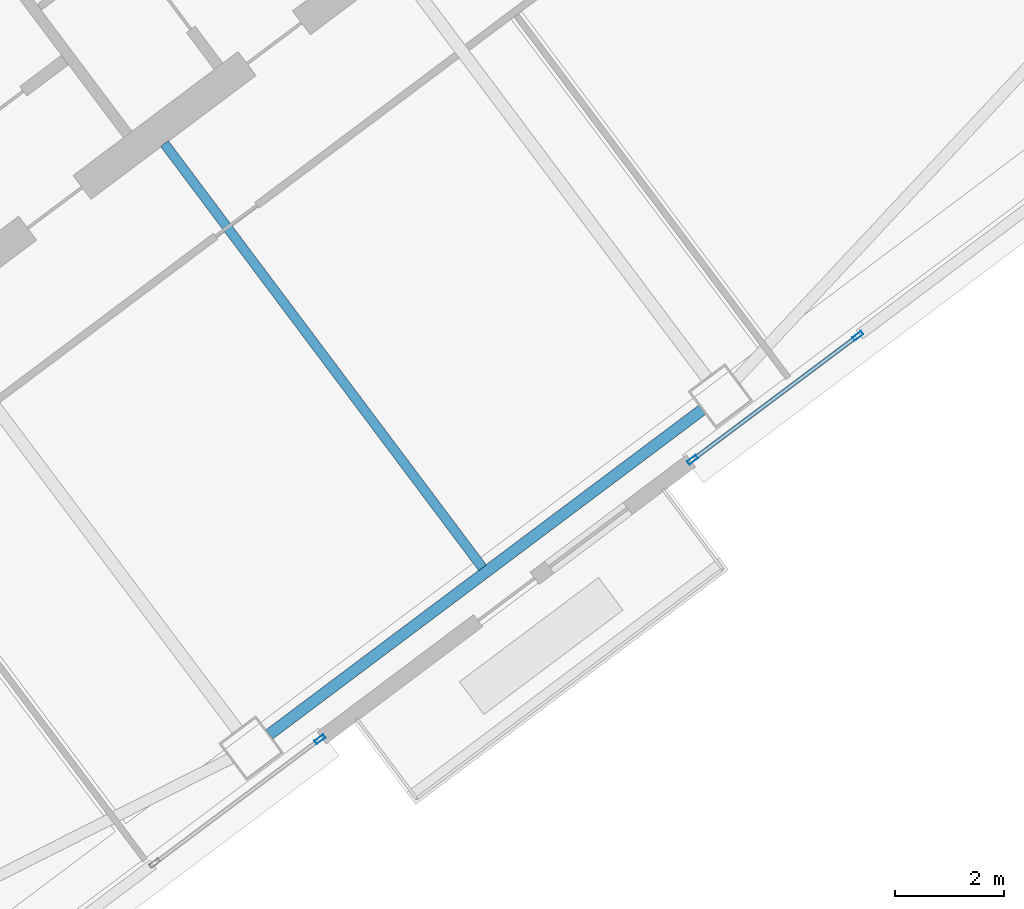
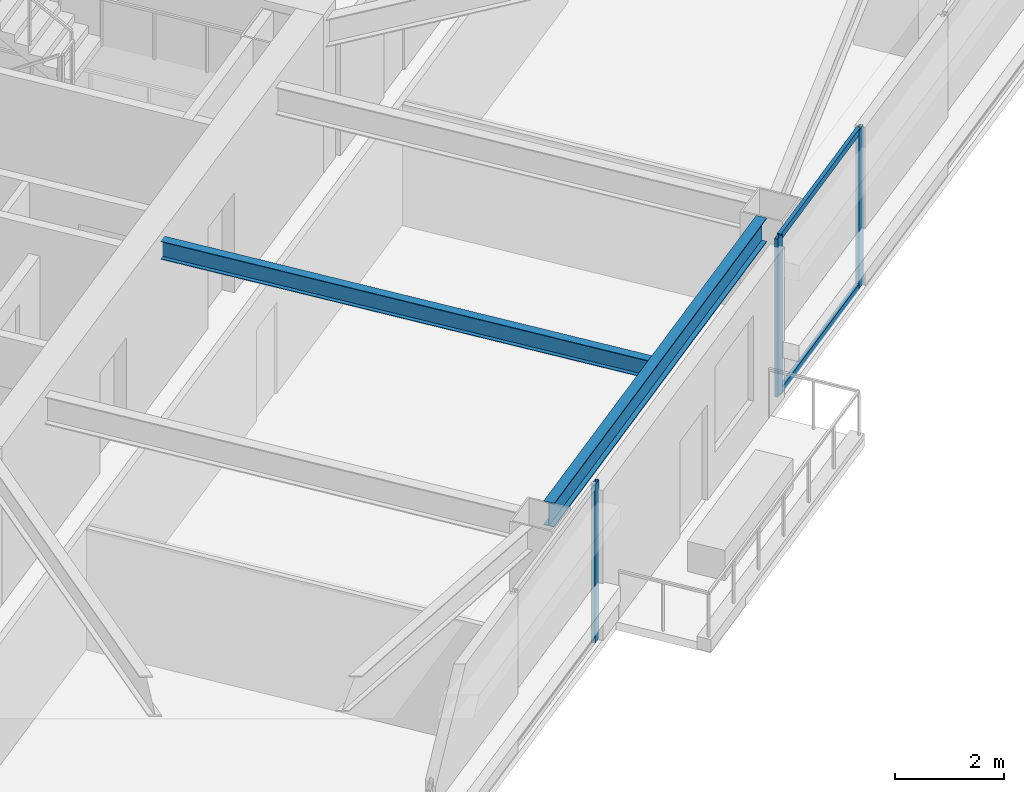
# One storey, part 27 of 46: 5 members, 2 beams, 2 elements without a shape of their own.
"""IFC4 building model written with IfcOpenShell, lengths in metres."""

from ifc_helpers import new_model, si_unit, direction, frame, origin, origin_2d, place, context, subcontext, project, spatial, hollow_rectangle, i_section, extrude, material, material_profile, profile_set, type_object, element, aggregate, save


model = new_model("IFC4")

# Units and contexts
model_context = context("Model", 3, precision=1e-05, world=origin(), true_north=direction((0.0, 1.0)))
body_context = subcontext(model_context, "Body", "Model", "MODEL_VIEW")
ifc_project = project(units=[si_unit("LENGTHUNIT", "METRE"), si_unit("AREAUNIT", "SQUARE_METRE"), si_unit("VOLUMEUNIT", "CUBIC_METRE"), si_unit("PLANEANGLEUNIT", "RADIAN"), si_unit("MASSUNIT", "GRAM", prefix="KILO")], contexts=[model_context])

# Site, building, storey
site_placement = place(None, origin())
site = spatial("IfcSite", under=ifc_project, at=site_placement, CompositionType="ELEMENT")
building_placement = place(site_placement, origin())
building = spatial("IfcBuilding", under=site, at=building_placement, Name="Tashvorn Skyway Center", CompositionType="ELEMENT")
storey_placement = place(building_placement, frame((0.0, 0.0, 139.25)))
storey = spatial("IfcBuildingStorey", under=building, at=storey_placement, Name="L37", CompositionType="ELEMENT", Elevation=139.25)

# Beams
ifc_material_1 = material(Name="Steel ASTM A992 Grade 50", Category="steel")
ifc_material_profile_1 = material_profile(ifc_material_1, i_section(OverallWidth=0.177978515625, OverallDepth=0.406005859375, WebThickness=0.0078125, FlangeThickness=0.0126953125, at=origin_2d()), Name="W16X40")
ifc_profile_set_1 = profile_set([ifc_material_profile_1], Name="Steel ASTM A992 Grade 50")
beam_type_1 = type_object("IfcBeamType", Name="BM-JOIST-W16X40", PredefinedType="JOIST", material=ifc_profile_set_1)
beam_1_placement = place(storey_placement, frame((118.674072265625, 25.76806640625, 3.1669921875), z_axis=(0.599991997409, -0.800006001881, 0.0), x_axis=(0.800006001881, 0.599991997409, 0.0)))
element("IfcBeam", 1, at=beam_1_placement, inside=storey, type_object=beam_type_1, Name="Tower 2 L37 Secondary Composite Joist JS", PredefinedType="JOIST", context=body_context, shape_type="SweptSolid", body=[
    extrude(i_section(OverallWidth=0.177978515625, OverallDepth=0.406005859375, WebThickness=0.0078125, FlangeThickness=0.0126953125, at=origin_2d()), origin(), (0.0, 0.0, 1.0), 9.762451171875),
])
ifc_material_profile_2 = material_profile(ifc_material_1, i_section(OverallWidth=0.2109375, OverallDepth=0.5390625, WebThickness=0.01171875, FlangeThickness=0.018798828125, at=origin_2d()), Name="W21X73")
ifc_profile_set_2 = profile_set([ifc_material_profile_2], Name="Steel ASTM A992 Grade 50")
beam_type_2 = type_object("IfcBeamType", Name="BM-SPANDREL-W21X73", PredefinedType="SPANDREL", material=ifc_profile_set_2)
beam_2_placement = place(storey_placement, frame((120.60595703125, 14.89208984375, 3.1005859375), z_axis=(0.800008824351, 0.599988234018, 0.0), x_axis=(-0.599988234018, 0.800008824351, 0.0)))
element("IfcBeam", 2, at=beam_2_placement, inside=storey, type_object=beam_type_2, Name="Tower 2 L37 Spandrel Beam 02", PredefinedType="SPANDREL", context=body_context, shape_type="SweptSolid", body=[
    extrude(i_section(OverallWidth=0.2109375, OverallDepth=0.5390625, WebThickness=0.01171875, FlangeThickness=0.018798828125, at=origin_2d()), origin(), (0.0, 0.0, 1.0), 9.9599609375),
])

# Curtain wall, members
ifc_material_2 = material(Name="Thermally broken bronze-anodized aluminium 6063-T6", Category="aluminium")
curtain_wall_type = type_object("IfcCurtainWallType", Name="CW-CW-Z3", PredefinedType="NOTDEFINED", material=ifc_material_2)
curtain_wall_1_placement = place(storey_placement, origin())
curtain_wall_1 = element("IfcCurtainWall", 3, at=curtain_wall_1_placement, inside=storey, type_object=curtain_wall_type, Name="Tower 2 L37 South Curtain Wall L Glazing Group 2", PredefinedType="NOTDEFINED")
ifc_material_profile_3 = material_profile(ifc_material_2, hollow_rectangle(XDim=0.074951171875, YDim=0.199951171875, WallThickness=0.00439453125, at=origin_2d()), Name="ALU-MULL-75x200")
ifc_profile_set_3 = profile_set([ifc_material_profile_3], Name="Thermally broken bronze-anodized aluminium 6063-T6")
member_type_1 = type_object("IfcMemberType", Name="CWM-CW-Z3", PredefinedType="MULLION", material=ifc_profile_set_3)
member_1_placement = place(storey_placement, frame((131.439208984375, 22.2294921875, 0.0), z_axis=(0.0, 0.0, 1.0), x_axis=(0.600004127279, -0.799996904524, 0.0)))
member_1 = element("IfcMember", 4, at=member_1_placement, type_object=member_type_1, Name="CW-Z3 mullion 1", PredefinedType="MULLION", context=body_context, shape_type="SweptSolid", body=[
    extrude(hollow_rectangle(XDim=0.074951171875, YDim=0.199951171875, WallThickness=0.00439453125, at=origin_2d()), origin(), (0.0, 0.0, 1.0), 3.550048828125),
])
member_2_placement = place(storey_placement, frame((128.39794921875, 19.948486328125, 0.0), z_axis=(0.0, 0.0, 1.0), x_axis=(0.600004127279, -0.799996904524, 0.0)))
member_2 = element("IfcMember", 5, at=member_2_placement, type_object=member_type_1, Name="CW-Z3 mullion 2", PredefinedType="MULLION", context=body_context, shape_type="SweptSolid", body=[
    extrude(hollow_rectangle(XDim=0.074951171875, YDim=0.199951171875, WallThickness=0.00439453125, at=origin_2d()), origin(), (0.0, 0.0, 1.0), 3.550048828125),
])

# Curtain wall, member
curtain_wall_2_placement = place(storey_placement, origin())
curtain_wall_2 = element("IfcCurtainWall", 6, at=curtain_wall_2_placement, inside=storey, type_object=curtain_wall_type, Name="Tower 2 L37 South Curtain Wall R Glazing Group 1", PredefinedType="NOTDEFINED")
member_3_placement = place(storey_placement, frame((121.5380859375, 14.803466796875, 0.0), z_axis=(0.0, 0.0, 1.0), x_axis=(0.600004127279, -0.799996904524, 0.0)))
member_3 = element("IfcMember", 7, at=member_3_placement, type_object=member_type_1, Name="CW-Z3 mullion 1", PredefinedType="MULLION", context=body_context, shape_type="SweptSolid", body=[
    extrude(hollow_rectangle(XDim=0.074951171875, YDim=0.199951171875, WallThickness=0.00439453125, at=origin_2d()), origin(), (0.0, 0.0, 1.0), 3.550048828125),
])
aggregate(curtain_wall_2, [member_3])

# Member
ifc_material_profile_4 = material_profile(ifc_material_2, hollow_rectangle(XDim=0.074951171875, YDim=0.139892578125, WallThickness=0.004150390625, at=origin_2d()), Name="ALU-TRAN-75x140")
ifc_profile_set_4 = profile_set([ifc_material_profile_4], Name="Thermally broken bronze-anodized aluminium 6063-T6")
member_type_2 = type_object("IfcMemberType", Name="CWT-CW-Z3", PredefinedType="USERDEFINED", material=ifc_profile_set_4)
member_4_placement = place(storey_placement, frame((131.4091796875, 22.20703125, 0.03759765625), z_axis=(-0.799976414785, -0.600031445665, 0.0), x_axis=(0.600031445665, -0.799976414785, 0.0)))
member_4 = element("IfcMember", 8, at=member_4_placement, type_object=member_type_2, Name="CW-Z3 transom 1.1", ObjectType="TRANSOM", PredefinedType="USERDEFINED", context=body_context, shape_type="SweptSolid", body=[
    extrude(hollow_rectangle(XDim=0.074951171875, YDim=0.139892578125, WallThickness=0.004150390625, at=origin_2d()), origin(), (0.0, 0.0, 1.0), 3.7265625),
])

member_5_placement = place(storey_placement, frame((131.4091796875, 22.20703125, 3.512451171875), z_axis=(-0.799976414785, -0.600031445665, 0.0), x_axis=(0.600031445665, -0.799976414785, 0.0)))
member_5 = element("IfcMember", 9, at=member_5_placement, type_object=member_type_2, Name="CW-Z3 transom 1.2", ObjectType="TRANSOM", PredefinedType="USERDEFINED", context=body_context, shape_type="SweptSolid", body=[
    extrude(hollow_rectangle(XDim=0.074951171875, YDim=0.139892578125, WallThickness=0.004150390625, at=origin_2d()), origin(), (0.0, 0.0, 1.0), 3.7265625),
])

aggregate(curtain_wall_1, [member_1, member_2, member_4, member_5])

save(model, "model.ifc")
